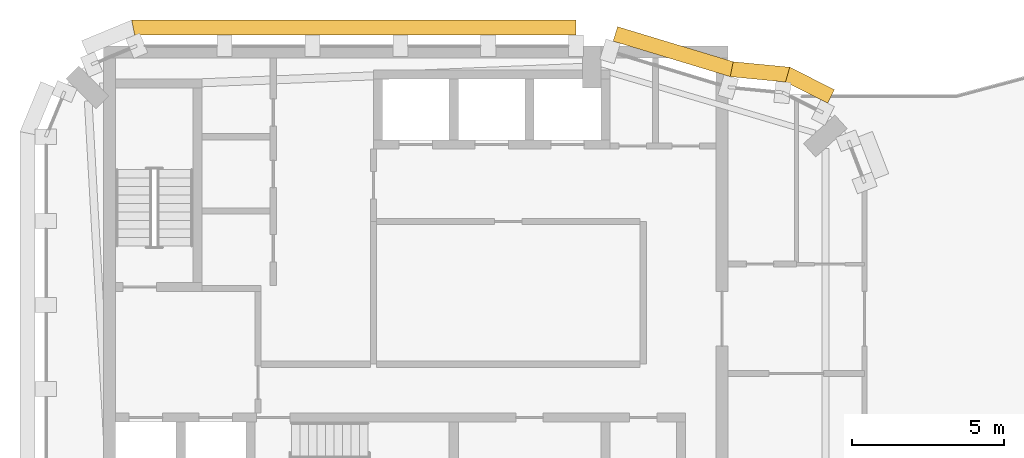
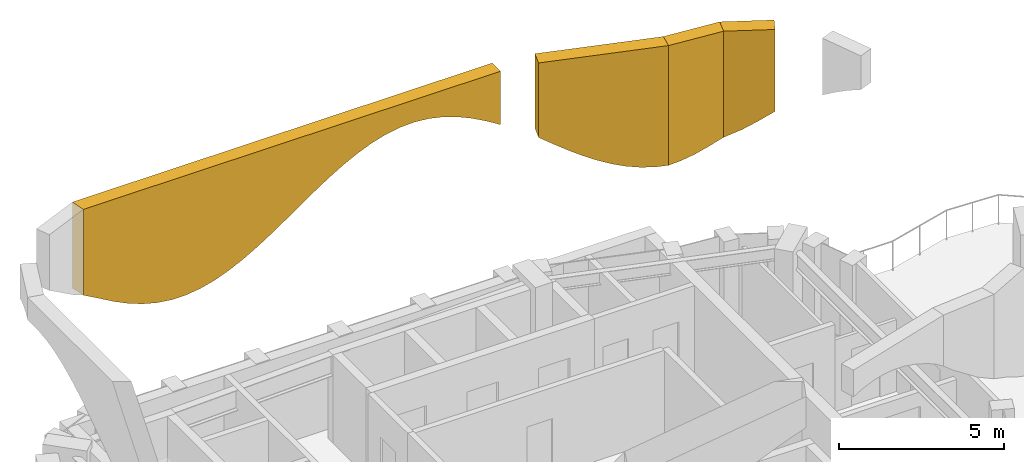
# One storey, part 7 of 7: 4 coverings.
"""IFC4 building model written with IfcOpenShell, lengths in metres."""

from ifc_helpers import new_model, si_unit, direction, frame, origin, place, context, subcontext, project, spatial, faceted_brep, material, layer, layer_set, type_object, element, save


model = new_model("IFC4")

# Units and contexts
model_context = context("Model", 3, precision=1e-05, world=origin(), true_north=direction((0.0, 1.0)))
body_context = subcontext(model_context, "Body", "Model", "MODEL_VIEW")
ifc_project = project(units=[si_unit("LENGTHUNIT", "METRE"), si_unit("AREAUNIT", "SQUARE_METRE"), si_unit("VOLUMEUNIT", "CUBIC_METRE"), si_unit("PLANEANGLEUNIT", "RADIAN"), si_unit("MASSUNIT", "GRAM", prefix="KILO")], contexts=[model_context])

# Site, building, storey
site_placement = place(None, origin())
site = spatial("IfcSite", under=ifc_project, at=site_placement, CompositionType="ELEMENT")
building_placement = place(site_placement, origin())
building = spatial("IfcBuilding", under=site, at=building_placement, Name="Plateau Cross Towers", CompositionType="ELEMENT")
storey_placement = place(building_placement, frame((0.0, 0.0, 301.89990234375)))
storey = spatial("IfcBuildingStorey", under=building, at=storey_placement, Name="L80 Crown 3", CompositionType="ELEMENT", Elevation=301.89990234375)

# Coverings
ifc_material = material(Name="Anodised aluminium fascia", Category="aluminium")
ifc_layer = layer(ifc_material, 0.5)
ifc_layer_set = layer_set([ifc_layer], Name="Anodised aluminium fascia")
covering_type = type_object("IfcCoveringType", Name="Crown fascia panel 500", PredefinedType="CLADDING", material=ifc_layer_set)
covering_1_placement = place(storey_placement, frame((0.0, 0.0, 6.583251953125)))
element("IfcCovering", 1, at=covering_1_placement, inside=storey, type_object=covering_type, Name="Crown fascia panel top", PredefinedType="CLADDING", context=body_context, shape_type="Brep", body=[
    faceted_brep([(25.78076171875, 16.106201171875, 0.8935546875), (25.78076171875, 16.106201171875, 3.916748046875), (25.336181640625, 16.329345703125, 3.916748046875), (25.336181640625, 16.329345703125, 0.56494140625), (26.005126953125, 16.552978515625, 0.8935546875), (25.560302734375, 16.7763671875, 0.56494140625), (25.560302734375, 16.7763671875, 3.916748046875), (26.005126953125, 16.552978515625, 3.916748046875), (24.891357421875, 16.552734375, 3.916748046875), (24.891357421875, 16.552734375, 0.263427734375), (25.11572265625, 16.99951171875, 0.263427734375), (25.11572265625, 16.99951171875, 3.916748046875), (24.388671875, 16.80517578125, 3.916748046875), (24.388671875, 16.80517578125, 0.0), (24.529541015625, 17.293701171875, 0.0), (24.529541015625, 17.293701171875, 3.916748046875)], [[[0, 1, 2, 3]], [[4, 5, 6, 7]], [[0, 3, 5, 4]], [[1, 7, 6, 2]], [[3, 2, 8, 9]], [[5, 10, 11, 6]], [[3, 9, 10, 5]], [[2, 6, 11, 8]], [[9, 8, 12, 13]], [[10, 14, 15, 11]], [[9, 13, 14, 10]], [[8, 11, 15, 12]], [[0, 4, 7, 1]], [[13, 12, 15, 14]]]),
])
covering_2_placement = place(storey_placement, frame((0.0, 0.0, 6.080078125)))
element("IfcCovering", 2, at=covering_2_placement, inside=storey, type_object=covering_type, Name="Crown fascia panel top", PredefinedType="CLADDING", context=body_context, shape_type="Brep", body=[
    faceted_brep([(24.388671875, 16.80517578125, 0.503173828125), (24.388671875, 16.80517578125, 4.419921875), (23.876220703125, 16.854736328125, 4.419921875), (23.876220703125, 16.854736328125, 0.3056640625), (24.529541015625, 17.293701171875, 0.503173828125), (23.924560546875, 17.3525390625, 0.3056640625), (23.924560546875, 17.3525390625, 4.419921875), (24.529541015625, 17.293701171875, 4.419921875), (23.4287109375, 16.898193359375, 4.419921875), (23.4287109375, 16.898193359375, 0.1533203125), (23.47705078125, 17.39599609375, 0.1533203125), (23.47705078125, 17.39599609375, 4.419921875), (22.981201171875, 16.941650390625, 4.419921875), (22.981201171875, 16.941650390625, 0.05029296875), (23.029541015625, 17.439453125, 0.05029296875), (23.029541015625, 17.439453125, 4.419921875), (22.568359375, 16.981689453125, 4.419921875), (22.568359375, 16.981689453125, 0.0), (22.665771484375, 17.474609375, 0.0), (22.665771484375, 17.474609375, 4.419921875)], [[[0, 1, 2, 3]], [[4, 5, 6, 7]], [[0, 3, 5, 4]], [[1, 7, 6, 2]], [[3, 2, 8, 9]], [[5, 10, 11, 6]], [[3, 9, 10, 5]], [[2, 6, 11, 8]], [[9, 8, 12, 13]], [[10, 14, 15, 11]], [[9, 13, 14, 10]], [[8, 11, 15, 12]], [[13, 12, 16, 17]], [[14, 18, 19, 15]], [[13, 17, 18, 14]], [[12, 15, 19, 16]], [[0, 4, 7, 1]], [[17, 16, 19, 18]]]),
])
covering_3_placement = place(storey_placement, frame((0.0, 0.0, 6.080078125)))
element("IfcCovering", 3, at=covering_3_placement, inside=storey, type_object=covering_type, Name="Crown fascia panel top", PredefinedType="CLADDING", context=body_context, shape_type="Brep", body=[
    faceted_brep([(22.568359375, 16.981689453125, 0.0), (22.568359375, 16.981689453125, 4.419921875), (22.168701171875, 17.102783203125, 4.419921875), (22.168701171875, 17.102783203125, 0.004150390625), (22.665771484375, 17.474609375, 0.0), (22.313720703125, 17.581298828125, 0.004150390625), (22.313720703125, 17.581298828125, 4.419921875), (22.665771484375, 17.474609375, 4.419921875), (21.736083984375, 17.23388671875, 4.419921875), (21.736083984375, 17.23388671875, 0.062744140625), (21.881103515625, 17.71240234375, 0.062744140625), (21.881103515625, 17.71240234375, 4.419921875), (21.30322265625, 17.364990234375, 4.419921875), (21.30322265625, 17.364990234375, 0.17431640625), (21.4482421875, 17.843505859375, 0.17431640625), (21.4482421875, 17.843505859375, 4.419921875), (20.87060546875, 17.49609375, 4.419921875), (20.87060546875, 17.49609375, 0.33544921875), (21.015625, 17.974609375, 0.33544921875), (21.015625, 17.974609375, 4.419921875), (20.43798828125, 17.627197265625, 4.419921875), (20.43798828125, 17.627197265625, 0.541015625), (20.582763671875, 18.105712890625, 0.541015625), (20.582763671875, 18.105712890625, 4.419921875), (20.005126953125, 17.75830078125, 4.419921875), (20.005126953125, 17.75830078125, 0.78466796875), (20.150146484375, 18.23681640625, 0.78466796875), (20.150146484375, 18.23681640625, 4.419921875), (19.572509765625, 17.889404296875, 4.419921875), (19.572509765625, 17.889404296875, 1.059326171875), (19.71728515625, 18.367919921875, 1.059326171875), (19.71728515625, 18.367919921875, 4.419921875), (19.1396484375, 18.0205078125, 4.419921875), (19.1396484375, 18.0205078125, 1.3564453125), (19.28466796875, 18.4990234375, 1.3564453125), (19.28466796875, 18.4990234375, 4.419921875), (18.70703125, 18.151611328125, 4.419921875), (18.70703125, 18.151611328125, 1.6669921875), (18.85205078125, 18.630126953125, 1.6669921875), (18.85205078125, 18.630126953125, 4.419921875)], [[[0, 1, 2, 3]], [[4, 5, 6, 7]], [[0, 3, 5, 4]], [[1, 7, 6, 2]], [[3, 2, 8, 9]], [[5, 10, 11, 6]], [[3, 9, 10, 5]], [[2, 6, 11, 8]], [[9, 8, 12, 13]], [[10, 14, 15, 11]], [[9, 13, 14, 10]], [[8, 11, 15, 12]], [[13, 12, 16, 17]], [[14, 18, 19, 15]], [[13, 17, 18, 14]], [[12, 15, 19, 16]], [[17, 16, 20, 21]], [[18, 22, 23, 19]], [[17, 21, 22, 18]], [[16, 19, 23, 20]], [[21, 20, 24, 25]], [[22, 26, 27, 23]], [[21, 25, 26, 22]], [[20, 23, 27, 24]], [[25, 24, 28, 29]], [[26, 30, 31, 27]], [[25, 29, 30, 26]], [[24, 27, 31, 28]], [[29, 28, 32, 33]], [[30, 34, 35, 31]], [[29, 33, 34, 30]], [[28, 31, 35, 32]], [[33, 32, 36, 37]], [[34, 38, 39, 35]], [[33, 37, 38, 34]], [[32, 35, 39, 36]], [[0, 4, 7, 1]], [[37, 36, 39, 38]]]),
])
covering_4_placement = place(storey_placement, frame((0.0, 0.0, 6.082275390625)))
element("IfcCovering", 4, at=covering_4_placement, inside=storey, type_object=covering_type, Name="Crown fascia panel top", PredefinedType="CLADDING", context=body_context, shape_type="Brep", body=[
    faceted_brep([(17.485107421875, 18.35009765625, 2.448486328125), (17.485107421875, 18.35009765625, 4.417724609375), (16.985595703125, 18.35009765625, 4.417724609375), (16.985595703125, 18.35009765625, 2.758056640625), (17.485107421875, 18.85009765625, 2.448486328125), (16.985595703125, 18.85009765625, 2.758056640625), (16.985595703125, 18.85009765625, 4.417724609375), (17.485107421875, 18.85009765625, 4.417724609375), (16.486083984375, 18.35009765625, 4.417724609375), (16.486083984375, 18.35009765625, 3.031982421875), (16.486083984375, 18.85009765625, 3.031982421875), (16.486083984375, 18.85009765625, 4.417724609375), (15.986572265625, 18.35009765625, 4.417724609375), (15.986572265625, 18.35009765625, 3.259521484375), (15.986572265625, 18.85009765625, 3.259521484375), (15.986572265625, 18.85009765625, 4.417724609375), (15.487060546875, 18.35009765625, 4.417724609375), (15.487060546875, 18.35009765625, 3.4326171875), (15.487060546875, 18.85009765625, 3.4326171875), (15.487060546875, 18.85009765625, 4.417724609375), (14.987548828125, 18.35009765625, 4.417724609375), (14.987548828125, 18.35009765625, 3.544677734375), (14.987548828125, 18.85009765625, 3.544677734375), (14.987548828125, 18.85009765625, 4.417724609375), (14.488037109375, 18.35009765625, 4.417724609375), (14.488037109375, 18.35009765625, 3.591552734375), (14.488037109375, 18.85009765625, 3.591552734375), (14.488037109375, 18.85009765625, 4.417724609375), (13.988525390625, 18.35009765625, 4.417724609375), (13.988525390625, 18.35009765625, 3.5712890625), (13.988525390625, 18.85009765625, 3.5712890625), (13.988525390625, 18.85009765625, 4.417724609375), (13.4892578125, 18.35009765625, 4.417724609375), (13.4892578125, 18.35009765625, 3.485107421875), (13.4892578125, 18.85009765625, 3.485107421875), (13.4892578125, 18.85009765625, 4.417724609375), (12.98974609375, 18.35009765625, 4.417724609375), (12.98974609375, 18.35009765625, 3.335693359375), (12.98974609375, 18.85009765625, 3.335693359375), (12.98974609375, 18.85009765625, 4.417724609375), (12.490234375, 18.35009765625, 4.417724609375), (12.490234375, 18.35009765625, 3.12890625), (12.490234375, 18.85009765625, 3.12890625), (12.490234375, 18.85009765625, 4.417724609375), (11.99072265625, 18.35009765625, 4.417724609375), (11.99072265625, 18.35009765625, 2.87255859375), (11.99072265625, 18.85009765625, 2.87255859375), (11.99072265625, 18.85009765625, 4.417724609375), (11.4912109375, 18.35009765625, 4.417724609375), (11.4912109375, 18.35009765625, 2.575927734375), (11.4912109375, 18.85009765625, 2.575927734375), (11.4912109375, 18.85009765625, 4.417724609375), (10.99169921875, 18.35009765625, 4.417724609375), (10.99169921875, 18.35009765625, 2.25), (10.99169921875, 18.85009765625, 2.25), (10.99169921875, 18.85009765625, 4.417724609375), (10.4921875, 18.35009765625, 4.417724609375), (10.4921875, 18.35009765625, 1.9072265625), (10.4921875, 18.85009765625, 1.9072265625), (10.4921875, 18.85009765625, 4.417724609375), (9.99267578125, 18.35009765625, 4.417724609375), (9.99267578125, 18.35009765625, 1.56005859375), (9.99267578125, 18.85009765625, 1.56005859375), (9.99267578125, 18.85009765625, 4.417724609375), (9.4931640625, 18.35009765625, 4.417724609375), (9.4931640625, 18.35009765625, 1.2216796875), (9.4931640625, 18.85009765625, 1.2216796875), (9.4931640625, 18.85009765625, 4.417724609375), (8.993896484375, 18.35009765625, 4.417724609375), (8.993896484375, 18.35009765625, 0.904541015625), (8.993896484375, 18.85009765625, 0.904541015625), (8.993896484375, 18.85009765625, 4.417724609375), (8.494384765625, 18.35009765625, 4.417724609375), (8.494384765625, 18.35009765625, 0.62060546875), (8.494384765625, 18.85009765625, 0.62060546875), (8.494384765625, 18.85009765625, 4.417724609375), (7.994873046875, 18.35009765625, 4.417724609375), (7.994873046875, 18.35009765625, 0.380126953125), (7.994873046875, 18.85009765625, 0.380126953125), (7.994873046875, 18.85009765625, 4.417724609375), (7.495361328125, 18.35009765625, 4.417724609375), (7.495361328125, 18.35009765625, 0.192138671875), (7.495361328125, 18.85009765625, 0.192138671875), (7.495361328125, 18.85009765625, 4.417724609375), (6.995849609375, 18.35009765625, 4.417724609375), (6.995849609375, 18.35009765625, 0.063720703125), (6.995849609375, 18.85009765625, 0.063720703125), (6.995849609375, 18.85009765625, 4.417724609375), (6.496337890625, 18.35009765625, 4.417724609375), (6.496337890625, 18.35009765625, 0.0), (6.496337890625, 18.85009765625, 0.0), (6.496337890625, 18.85009765625, 4.417724609375), (5.996826171875, 18.35009765625, 4.417724609375), (5.996826171875, 18.35009765625, 0.002685546875), (5.996826171875, 18.85009765625, 0.002685546875), (5.996826171875, 18.85009765625, 4.417724609375), (5.497314453125, 18.35009765625, 4.417724609375), (5.497314453125, 18.35009765625, 0.072021484375), (5.497314453125, 18.85009765625, 0.072021484375), (5.497314453125, 18.85009765625, 4.417724609375), (4.998046875, 18.35009765625, 4.417724609375), (4.998046875, 18.35009765625, 0.20556640625), (4.998046875, 18.85009765625, 0.20556640625), (4.998046875, 18.85009765625, 4.417724609375), (4.49853515625, 18.35009765625, 4.417724609375), (4.49853515625, 18.35009765625, 0.39794921875), (4.49853515625, 18.85009765625, 0.39794921875), (4.49853515625, 18.85009765625, 4.417724609375), (3.9990234375, 18.35009765625, 4.417724609375), (3.9990234375, 18.35009765625, 0.642578125), (3.9990234375, 18.85009765625, 0.642578125), (3.9990234375, 18.85009765625, 4.417724609375), (3.49951171875, 18.35009765625, 4.417724609375), (3.49951171875, 18.35009765625, 0.9296875), (3.49951171875, 18.85009765625, 0.9296875), (3.49951171875, 18.85009765625, 4.417724609375), (2.930419921875, 18.35009765625, 4.417724609375), (2.930419921875, 18.35009765625, 1.249267578125), (2.830810546875, 18.85009765625, 1.249267578125), (2.830810546875, 18.85009765625, 4.417724609375)], [[[0, 1, 2, 3]], [[4, 5, 6, 7]], [[0, 3, 5, 4]], [[1, 7, 6, 2]], [[3, 2, 8, 9]], [[5, 10, 11, 6]], [[3, 9, 10, 5]], [[2, 6, 11, 8]], [[9, 8, 12, 13]], [[10, 14, 15, 11]], [[9, 13, 14, 10]], [[8, 11, 15, 12]], [[13, 12, 16, 17]], [[14, 18, 19, 15]], [[13, 17, 18, 14]], [[12, 15, 19, 16]], [[17, 16, 20, 21]], [[18, 22, 23, 19]], [[17, 21, 22, 18]], [[16, 19, 23, 20]], [[21, 20, 24, 25]], [[22, 26, 27, 23]], [[21, 25, 26, 22]], [[20, 23, 27, 24]], [[25, 24, 28, 29]], [[26, 30, 31, 27]], [[25, 29, 30, 26]], [[24, 27, 31, 28]], [[29, 28, 32, 33]], [[30, 34, 35, 31]], [[29, 33, 34, 30]], [[28, 31, 35, 32]], [[33, 32, 36, 37]], [[34, 38, 39, 35]], [[33, 37, 38, 34]], [[32, 35, 39, 36]], [[37, 36, 40, 41]], [[38, 42, 43, 39]], [[37, 41, 42, 38]], [[36, 39, 43, 40]], [[41, 40, 44, 45]], [[42, 46, 47, 43]], [[41, 45, 46, 42]], [[40, 43, 47, 44]], [[45, 44, 48, 49]], [[46, 50, 51, 47]], [[45, 49, 50, 46]], [[44, 47, 51, 48]], [[49, 48, 52, 53]], [[50, 54, 55, 51]], [[49, 53, 54, 50]], [[48, 51, 55, 52]], [[53, 52, 56, 57]], [[54, 58, 59, 55]], [[53, 57, 58, 54]], [[52, 55, 59, 56]], [[57, 56, 60, 61]], [[58, 62, 63, 59]], [[57, 61, 62, 58]], [[56, 59, 63, 60]], [[61, 60, 64, 65]], [[62, 66, 67, 63]], [[61, 65, 66, 62]], [[60, 63, 67, 64]], [[65, 64, 68, 69]], [[66, 70, 71, 67]], [[65, 69, 70, 66]], [[64, 67, 71, 68]], [[69, 68, 72, 73]], [[70, 74, 75, 71]], [[69, 73, 74, 70]], [[68, 71, 75, 72]], [[73, 72, 76, 77]], [[74, 78, 79, 75]], [[73, 77, 78, 74]], [[72, 75, 79, 76]], [[77, 76, 80, 81]], [[78, 82, 83, 79]], [[77, 81, 82, 78]], [[76, 79, 83, 80]], [[81, 80, 84, 85]], [[82, 86, 87, 83]], [[81, 85, 86, 82]], [[80, 83, 87, 84]], [[85, 84, 88, 89]], [[86, 90, 91, 87]], [[85, 89, 90, 86]], [[84, 87, 91, 88]], [[89, 88, 92, 93]], [[90, 94, 95, 91]], [[89, 93, 94, 90]], [[88, 91, 95, 92]], [[93, 92, 96, 97]], [[94, 98, 99, 95]], [[93, 97, 98, 94]], [[92, 95, 99, 96]], [[97, 96, 100, 101]], [[98, 102, 103, 99]], [[97, 101, 102, 98]], [[96, 99, 103, 100]], [[101, 100, 104, 105]], [[102, 106, 107, 103]], [[101, 105, 106, 102]], [[100, 103, 107, 104]], [[105, 104, 108, 109]], [[106, 110, 111, 107]], [[105, 109, 110, 106]], [[104, 107, 111, 108]], [[109, 108, 112, 113]], [[110, 114, 115, 111]], [[109, 113, 114, 110]], [[108, 111, 115, 112]], [[113, 112, 116, 117]], [[114, 118, 119, 115]], [[113, 117, 118, 114]], [[112, 115, 119, 116]], [[0, 4, 7, 1]], [[117, 116, 119, 118]]]),
])

save(model, "model.ifc")
